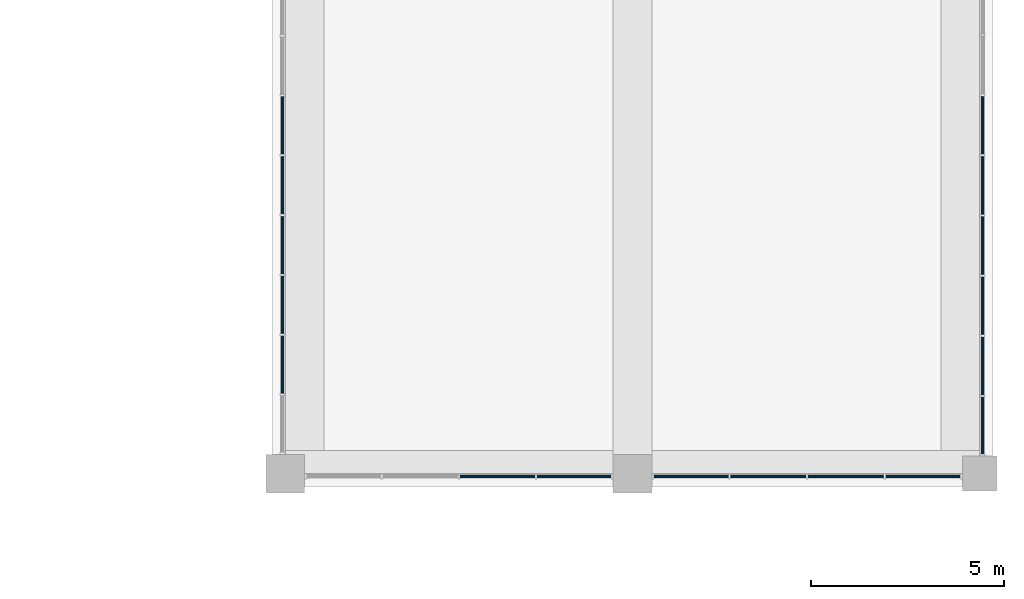
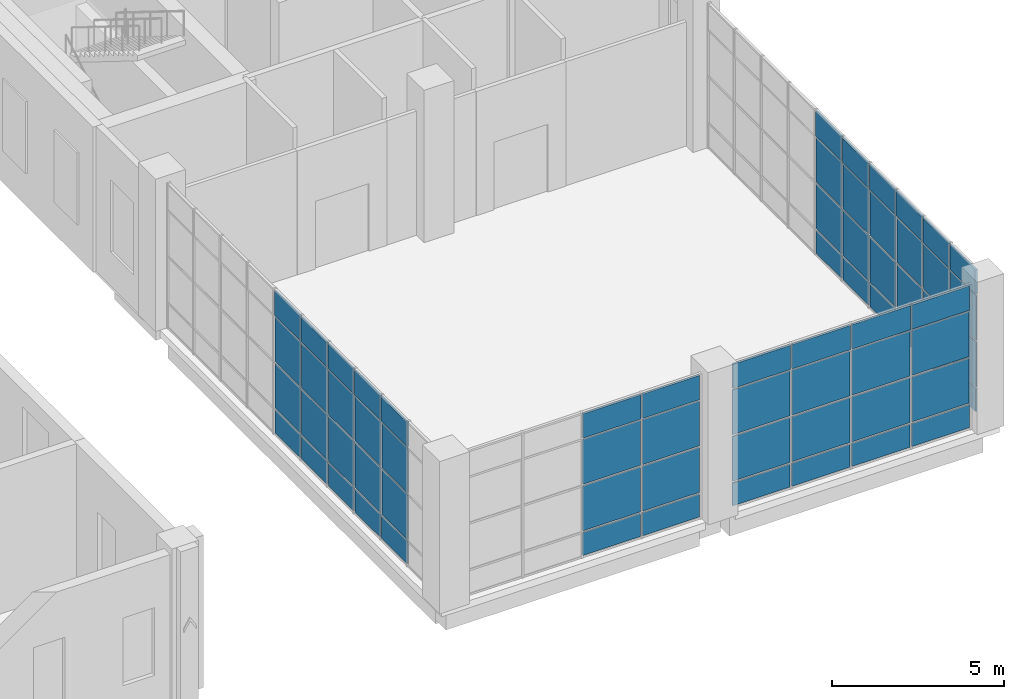
# One storey, part 16 of 33: 68 plates, 4 elements without a shape of their own.
"""IFC4 building model written with IfcOpenShell, lengths in metres."""

from ifc_helpers import new_model, si_unit, direction, frame, origin, origin_2d, place, context, subcontext, project, spatial, rectangle, extrude, material, layer, layer_set, type_object, element, aggregate, save


model = new_model("IFC4")

# Units and contexts
model_context = context("Model", 3, precision=1e-05, world=origin(), true_north=direction((0.0, 1.0)))
body_context = subcontext(model_context, "Body", "Model", "MODEL_VIEW")
ifc_project = project(units=[si_unit("LENGTHUNIT", "METRE"), si_unit("AREAUNIT", "SQUARE_METRE"), si_unit("VOLUMEUNIT", "CUBIC_METRE"), si_unit("PLANEANGLEUNIT", "RADIAN"), si_unit("MASSUNIT", "GRAM", prefix="KILO")], contexts=[model_context])

# Site, building, storey
site_placement = place(None, origin())
site = spatial("IfcSite", under=ifc_project, at=site_placement, CompositionType="ELEMENT")
building_placement = place(site_placement, origin())
building = spatial("IfcBuilding", under=site, at=building_placement, Name="Aurelan Courthouse", CompositionType="ELEMENT")
storey_placement = place(building_placement, frame((0.0, 0.0, 22.800048828125)))
storey = spatial("IfcBuildingStorey", under=building, at=storey_placement, Name="L04", CompositionType="ELEMENT", Elevation=22.800048828125)

# Curtain wall, plates
ifc_material_1 = material(Name="Bronze-finished aluminium and glass", Category="aluminium")
ifc_layer_1 = layer(ifc_material_1, 0.14990234375)
ifc_layer_set_1 = layer_set([ifc_layer_1], Name="Bronze-finished aluminium and glass")
curtain_wall_type_1 = type_object("IfcCurtainWallType", Name="Curtain wall 8000 x 5150", PredefinedType="NOTDEFINED", material=ifc_layer_set_1)
curtain_wall_1_placement = place(storey_placement, origin())
curtain_wall_1 = element("IfcCurtainWall", 1, at=curtain_wall_1_placement, inside=storey, type_object=curtain_wall_type_1, Name="Curtain wall CW-V3-L04-S01", PredefinedType="NOTDEFINED")
ifc_material_2 = material(Name="Bronze-finished aluminium", Category="aluminium")
ifc_layer_2 = layer(ifc_material_2, 0.070068359375)
ifc_layer_set_2 = layer_set([ifc_layer_2], Name="Bronze-finished aluminium")
plate_type_1 = type_object("IfcPlateType", Name="Bronze spandrel panel 70", PredefinedType="CURTAIN_PANEL", material=ifc_layer_set_2)
plate_1_placement = place(storey_placement, frame((77.5, 37.425048828125, 4.22998046875), z_axis=(0.0, 0.0, 1.0), x_axis=(1.0, 0.0, 0.0)))
plate_1 = element("IfcPlate", 2, at=plate_1_placement, type_object=plate_type_1, Name="CW-V3-L04-S01 spandrel panel 3.4", PredefinedType="CURTAIN_PANEL", context=body_context, shape_type="SweptSolid", body=[
    extrude(rectangle(XDim=1.93994140625, YDim=0.070068359375, at=origin_2d()), origin(), (0.0, 0.0, 1.0), 0.860107421875),
])
plate_2_placement = place(storey_placement, frame((79.485107421875, 37.425048828125, 4.22998046875), z_axis=(0.0, 0.0, 1.0), x_axis=(1.0, 0.0, 0.0)))
plate_2 = element("IfcPlate", 3, at=plate_2_placement, type_object=plate_type_1, Name="CW-V3-L04-S01 spandrel panel 4.4", PredefinedType="CURTAIN_PANEL", context=body_context, shape_type="SweptSolid", body=[
    extrude(rectangle(XDim=1.909912109375, YDim=0.070068359375, at=origin_2d()), origin(), (0.0, 0.0, 1.0), 0.860107421875),
])

ifc_layer_3 = layer(ifc_material_1, 0.14990234375)
ifc_layer_set_3 = layer_set([ifc_layer_3], Name="Bronze-finished aluminium and glass")
curtain_wall_type_2 = type_object("IfcCurtainWallType", Name="Curtain wall 8050 x 5150", PredefinedType="NOTDEFINED", material=ifc_layer_set_3)
curtain_wall_2_placement = place(storey_placement, origin())
curtain_wall_2 = element("IfcCurtainWall", 4, at=curtain_wall_2_placement, inside=storey, type_object=curtain_wall_type_2, Name="Curtain wall CW-V3-L04-S02", PredefinedType="NOTDEFINED")
plate_3_placement = place(storey_placement, frame((82.521240234375, 37.425048828125, 4.22998046875), z_axis=(0.0, 0.0, 1.0), x_axis=(1.0, 0.0, 0.0)))
plate_3 = element("IfcPlate", 5, at=plate_3_placement, type_object=plate_type_1, Name="CW-V3-L04-S02 spandrel panel 1.4", PredefinedType="CURTAIN_PANEL", context=body_context, shape_type="SweptSolid", body=[
    extrude(rectangle(XDim=1.922607421875, YDim=0.070068359375, at=origin_2d()), origin(), (0.0, 0.0, 1.0), 0.860107421875),
])
plate_4_placement = place(storey_placement, frame((84.518798828125, 37.425048828125, 4.22998046875), z_axis=(0.0, 0.0, 1.0), x_axis=(1.0, 0.0, 0.0)))
plate_4 = element("IfcPlate", 6, at=plate_4_placement, type_object=plate_type_1, Name="CW-V3-L04-S02 spandrel panel 2.4", PredefinedType="CURTAIN_PANEL", context=body_context, shape_type="SweptSolid", body=[
    extrude(rectangle(XDim=1.952392578125, YDim=0.070068359375, at=origin_2d()), origin(), (0.0, 0.0, 1.0), 0.860107421875),
])
plate_5_placement = place(storey_placement, frame((86.53125, 37.425048828125, 4.22998046875), z_axis=(0.0, 0.0, 1.0), x_axis=(1.0, 0.0, 0.0)))
plate_5 = element("IfcPlate", 7, at=plate_5_placement, type_object=plate_type_1, Name="CW-V3-L04-S02 spandrel panel 3.4", PredefinedType="CURTAIN_PANEL", context=body_context, shape_type="SweptSolid", body=[
    extrude(rectangle(XDim=1.952392578125, YDim=0.070068359375, at=origin_2d()), origin(), (0.0, 0.0, 1.0), 0.860107421875),
])
plate_6_placement = place(storey_placement, frame((88.52880859375, 37.425048828125, 4.22998046875), z_axis=(0.0, 0.0, 1.0), x_axis=(1.0, 0.0, 0.0)))
plate_6 = element("IfcPlate", 8, at=plate_6_placement, type_object=plate_type_1, Name="CW-V3-L04-S02 spandrel panel 4.4", PredefinedType="CURTAIN_PANEL", context=body_context, shape_type="SweptSolid", body=[
    extrude(rectangle(XDim=1.922607421875, YDim=0.070068359375, at=origin_2d()), origin(), (0.0, 0.0, 1.0), 0.860107421875),
])

ifc_layer_4 = layer(ifc_material_1, 0.14990234375)
ifc_layer_set_4 = layer_set([ifc_layer_4], Name="Bronze-finished aluminium and glass")
curtain_wall_type_3 = type_object("IfcCurtainWallType", Name="Curtain wall 15600 x 5150", PredefinedType="NOTDEFINED", material=ifc_layer_set_4)
curtain_wall_3_placement = place(storey_placement, origin())
curtain_wall_3 = element("IfcCurtainWall", 9, at=curtain_wall_3_placement, inside=storey, type_object=curtain_wall_type_3, Name="Curtain wall CW-V3-L04-E01", PredefinedType="NOTDEFINED")
plate_7_placement = place(storey_placement, frame((90.074951171875, 38.7451171875, 4.22998046875), z_axis=(0.0, 0.0, 1.0), x_axis=(0.0, 1.0, 0.0)))
plate_7 = element("IfcPlate", 10, at=plate_7_placement, type_object=plate_type_1, Name="CW-V3-L04-E01 spandrel panel 1.4", PredefinedType="CURTAIN_PANEL", context=body_context, shape_type="SweptSolid", body=[
    extrude(rectangle(XDim=1.469970703125, YDim=0.070068359375, at=origin_2d()), origin(), (0.0, 0.0, 1.0), 0.860107421875),
])
plate_8_placement = place(storey_placement, frame((90.074951171875, 40.2900390625, 4.22998046875), z_axis=(0.0, 0.0, 1.0), x_axis=(0.0, 1.0, 0.0)))
plate_8 = element("IfcPlate", 11, at=plate_8_placement, type_object=plate_type_1, Name="CW-V3-L04-E01 spandrel panel 2.4", PredefinedType="CURTAIN_PANEL", context=body_context, shape_type="SweptSolid", body=[
    extrude(rectangle(XDim=1.5, YDim=0.070068359375, at=origin_2d()), origin(), (0.0, 0.0, 1.0), 0.860107421875),
])
plate_9_placement = place(storey_placement, frame((90.074951171875, 41.85009765625, 4.22998046875), z_axis=(0.0, 0.0, 1.0), x_axis=(0.0, 1.0, 0.0)))
plate_9 = element("IfcPlate", 12, at=plate_9_placement, type_object=plate_type_1, Name="CW-V3-L04-E01 spandrel panel 3.4", PredefinedType="CURTAIN_PANEL", context=body_context, shape_type="SweptSolid", body=[
    extrude(rectangle(XDim=1.5, YDim=0.070068359375, at=origin_2d()), origin(), (0.0, 0.0, 1.0), 0.860107421875),
])
plate_10_placement = place(storey_placement, frame((90.074951171875, 43.409912109375, 4.22998046875), z_axis=(0.0, 0.0, 1.0), x_axis=(0.0, 1.0, 0.0)))
plate_10 = element("IfcPlate", 13, at=plate_10_placement, type_object=plate_type_1, Name="CW-V3-L04-E01 spandrel panel 4.4", PredefinedType="CURTAIN_PANEL", context=body_context, shape_type="SweptSolid", body=[
    extrude(rectangle(XDim=1.5, YDim=0.070068359375, at=origin_2d()), origin(), (0.0, 0.0, 1.0), 0.860107421875),
])
plate_11_placement = place(storey_placement, frame((90.074951171875, 44.969970703125, 4.22998046875), z_axis=(0.0, 0.0, 1.0), x_axis=(0.0, 1.0, 0.0)))
plate_11 = element("IfcPlate", 14, at=plate_11_placement, type_object=plate_type_1, Name="CW-V3-L04-E01 spandrel panel 5.4", PredefinedType="CURTAIN_PANEL", context=body_context, shape_type="SweptSolid", body=[
    extrude(rectangle(XDim=1.5, YDim=0.070068359375, at=origin_2d()), origin(), (0.0, 0.0, 1.0), 0.860107421875),
])
plate_12_placement = place(storey_placement, frame((90.074951171875, 46.530029296875, 4.22998046875), z_axis=(0.0, 0.0, 1.0), x_axis=(0.0, 1.0, 0.0)))
plate_12 = element("IfcPlate", 15, at=plate_12_placement, type_object=plate_type_1, Name="CW-V3-L04-E01 spandrel panel 6.4", PredefinedType="CURTAIN_PANEL", context=body_context, shape_type="SweptSolid", body=[
    extrude(rectangle(XDim=1.5, YDim=0.070068359375, at=origin_2d()), origin(), (0.0, 0.0, 1.0), 0.860107421875),
])

ifc_layer_5 = layer(ifc_material_1, 0.14990234375)
ifc_layer_set_5 = layer_set([ifc_layer_5], Name="Bronze-finished aluminium and glass")
curtain_wall_type_4 = type_object("IfcCurtainWallType", Name="Curtain wall 15500 x 5150", PredefinedType="NOTDEFINED", material=ifc_layer_set_5)
curtain_wall_4_placement = place(storey_placement, origin())
curtain_wall_4 = element("IfcCurtainWall", 16, at=curtain_wall_4_placement, inside=storey, type_object=curtain_wall_type_4, Name="Curtain wall CW-V3-L04-W01", PredefinedType="NOTDEFINED")
plate_13_placement = place(storey_placement, frame((71.925048828125, 40.324951171875, 4.22998046875), z_axis=(0.0, 0.0, 1.0), x_axis=(0.0, 1.0, 0.0)))
plate_13 = element("IfcPlate", 17, at=plate_13_placement, type_object=plate_type_1, Name="CW-V3-L04-W01 spandrel panel 2.4", PredefinedType="CURTAIN_PANEL", context=body_context, shape_type="SweptSolid", body=[
    extrude(rectangle(XDim=1.489990234375, YDim=0.070068359375, at=origin_2d()), origin(), (0.0, 0.0, 1.0), 0.860107421875),
])
plate_14_placement = place(storey_placement, frame((71.925048828125, 41.875, 4.22998046875), z_axis=(0.0, 0.0, 1.0), x_axis=(0.0, 1.0, 0.0)))
plate_14 = element("IfcPlate", 18, at=plate_14_placement, type_object=plate_type_1, Name="CW-V3-L04-W01 spandrel panel 3.4", PredefinedType="CURTAIN_PANEL", context=body_context, shape_type="SweptSolid", body=[
    extrude(rectangle(XDim=1.489990234375, YDim=0.070068359375, at=origin_2d()), origin(), (0.0, 0.0, 1.0), 0.860107421875),
])
plate_15_placement = place(storey_placement, frame((71.925048828125, 43.425048828125, 4.22998046875), z_axis=(0.0, 0.0, 1.0), x_axis=(0.0, 1.0, 0.0)))
plate_15 = element("IfcPlate", 19, at=plate_15_placement, type_object=plate_type_1, Name="CW-V3-L04-W01 spandrel panel 4.4", PredefinedType="CURTAIN_PANEL", context=body_context, shape_type="SweptSolid", body=[
    extrude(rectangle(XDim=1.489990234375, YDim=0.070068359375, at=origin_2d()), origin(), (0.0, 0.0, 1.0), 0.860107421875),
])
plate_16_placement = place(storey_placement, frame((71.925048828125, 44.97509765625, 4.22998046875), z_axis=(0.0, 0.0, 1.0), x_axis=(0.0, 1.0, 0.0)))
plate_16 = element("IfcPlate", 20, at=plate_16_placement, type_object=plate_type_1, Name="CW-V3-L04-W01 spandrel panel 5.4", PredefinedType="CURTAIN_PANEL", context=body_context, shape_type="SweptSolid", body=[
    extrude(rectangle(XDim=1.489990234375, YDim=0.070068359375, at=origin_2d()), origin(), (0.0, 0.0, 1.0), 0.860107421875),
])
plate_17_placement = place(storey_placement, frame((71.925048828125, 46.52490234375, 4.22998046875), z_axis=(0.0, 0.0, 1.0), x_axis=(0.0, 1.0, 0.0)))
plate_17 = element("IfcPlate", 21, at=plate_17_placement, type_object=plate_type_1, Name="CW-V3-L04-W01 spandrel panel 6.4", PredefinedType="CURTAIN_PANEL", context=body_context, shape_type="SweptSolid", body=[
    extrude(rectangle(XDim=1.489990234375, YDim=0.070068359375, at=origin_2d()), origin(), (0.0, 0.0, 1.0), 0.860107421875),
])

# Plate
ifc_layer_6 = layer(ifc_material_2, 0.0400390625)
ifc_layer_set_6 = layer_set([ifc_layer_6], Name="Bronze-finished aluminium")
plate_type_2 = type_object("IfcPlateType", Name="Sill panel 40", PredefinedType="CURTAIN_PANEL", material=ifc_layer_set_6)
plate_18_placement = place(storey_placement, frame((77.5, 37.425048828125, 0.059814453125), z_axis=(0.0, 0.0, 1.0), x_axis=(1.0, 0.0, 0.0)))
plate_18 = element("IfcPlate", 22, at=plate_18_placement, type_object=plate_type_2, Name="CW-V3-L04-S01 sill panel 3.1", PredefinedType="CURTAIN_PANEL", context=body_context, shape_type="SweptSolid", body=[
    extrude(rectangle(XDim=1.93994140625, YDim=0.0400390625, at=origin_2d()), origin(), (0.0, 0.0, 1.0), 0.81005859375),
])

plate_19_placement = place(storey_placement, frame((79.485107421875, 37.425048828125, 0.059814453125), z_axis=(0.0, 0.0, 1.0), x_axis=(1.0, 0.0, 0.0)))
plate_19 = element("IfcPlate", 23, at=plate_19_placement, type_object=plate_type_2, Name="CW-V3-L04-S01 sill panel 4.1", PredefinedType="CURTAIN_PANEL", context=body_context, shape_type="SweptSolid", body=[
    extrude(rectangle(XDim=1.909912109375, YDim=0.0400390625, at=origin_2d()), origin(), (0.0, 0.0, 1.0), 0.81005859375),
])

plate_20_placement = place(storey_placement, frame((82.521240234375, 37.425048828125, 0.059814453125), z_axis=(0.0, 0.0, 1.0), x_axis=(1.0, 0.0, 0.0)))
plate_20 = element("IfcPlate", 24, at=plate_20_placement, type_object=plate_type_2, Name="CW-V3-L04-S02 sill panel 1.1", PredefinedType="CURTAIN_PANEL", context=body_context, shape_type="SweptSolid", body=[
    extrude(rectangle(XDim=1.922607421875, YDim=0.0400390625, at=origin_2d()), origin(), (0.0, 0.0, 1.0), 0.81005859375),
])

plate_21_placement = place(storey_placement, frame((84.518798828125, 37.425048828125, 0.059814453125), z_axis=(0.0, 0.0, 1.0), x_axis=(1.0, 0.0, 0.0)))
plate_21 = element("IfcPlate", 25, at=plate_21_placement, type_object=plate_type_2, Name="CW-V3-L04-S02 sill panel 2.1", PredefinedType="CURTAIN_PANEL", context=body_context, shape_type="SweptSolid", body=[
    extrude(rectangle(XDim=1.952392578125, YDim=0.0400390625, at=origin_2d()), origin(), (0.0, 0.0, 1.0), 0.81005859375),
])

plate_22_placement = place(storey_placement, frame((86.53125, 37.425048828125, 0.059814453125), z_axis=(0.0, 0.0, 1.0), x_axis=(1.0, 0.0, 0.0)))
plate_22 = element("IfcPlate", 26, at=plate_22_placement, type_object=plate_type_2, Name="CW-V3-L04-S02 sill panel 3.1", PredefinedType="CURTAIN_PANEL", context=body_context, shape_type="SweptSolid", body=[
    extrude(rectangle(XDim=1.952392578125, YDim=0.0400390625, at=origin_2d()), origin(), (0.0, 0.0, 1.0), 0.81005859375),
])

plate_23_placement = place(storey_placement, frame((88.52880859375, 37.425048828125, 0.059814453125), z_axis=(0.0, 0.0, 1.0), x_axis=(1.0, 0.0, 0.0)))
plate_23 = element("IfcPlate", 27, at=plate_23_placement, type_object=plate_type_2, Name="CW-V3-L04-S02 sill panel 4.1", PredefinedType="CURTAIN_PANEL", context=body_context, shape_type="SweptSolid", body=[
    extrude(rectangle(XDim=1.922607421875, YDim=0.0400390625, at=origin_2d()), origin(), (0.0, 0.0, 1.0), 0.81005859375),
])

plate_24_placement = place(storey_placement, frame((90.074951171875, 38.7451171875, 0.059814453125), z_axis=(0.0, 0.0, 1.0), x_axis=(0.0, 1.0, 0.0)))
plate_24 = element("IfcPlate", 28, at=plate_24_placement, type_object=plate_type_2, Name="CW-V3-L04-E01 sill panel 1.1", PredefinedType="CURTAIN_PANEL", context=body_context, shape_type="SweptSolid", body=[
    extrude(rectangle(XDim=1.469970703125, YDim=0.0400390625, at=origin_2d()), origin(), (0.0, 0.0, 1.0), 0.81005859375),
])

plate_25_placement = place(storey_placement, frame((90.074951171875, 40.2900390625, 0.059814453125), z_axis=(0.0, 0.0, 1.0), x_axis=(0.0, 1.0, 0.0)))
plate_25 = element("IfcPlate", 29, at=plate_25_placement, type_object=plate_type_2, Name="CW-V3-L04-E01 sill panel 2.1", PredefinedType="CURTAIN_PANEL", context=body_context, shape_type="SweptSolid", body=[
    extrude(rectangle(XDim=1.5, YDim=0.0400390625, at=origin_2d()), origin(), (0.0, 0.0, 1.0), 0.81005859375),
])

plate_26_placement = place(storey_placement, frame((90.074951171875, 41.85009765625, 0.059814453125), z_axis=(0.0, 0.0, 1.0), x_axis=(0.0, 1.0, 0.0)))
plate_26 = element("IfcPlate", 30, at=plate_26_placement, type_object=plate_type_2, Name="CW-V3-L04-E01 sill panel 3.1", PredefinedType="CURTAIN_PANEL", context=body_context, shape_type="SweptSolid", body=[
    extrude(rectangle(XDim=1.5, YDim=0.0400390625, at=origin_2d()), origin(), (0.0, 0.0, 1.0), 0.81005859375),
])

plate_27_placement = place(storey_placement, frame((90.074951171875, 43.409912109375, 0.059814453125), z_axis=(0.0, 0.0, 1.0), x_axis=(0.0, 1.0, 0.0)))
plate_27 = element("IfcPlate", 31, at=plate_27_placement, type_object=plate_type_2, Name="CW-V3-L04-E01 sill panel 4.1", PredefinedType="CURTAIN_PANEL", context=body_context, shape_type="SweptSolid", body=[
    extrude(rectangle(XDim=1.5, YDim=0.0400390625, at=origin_2d()), origin(), (0.0, 0.0, 1.0), 0.81005859375),
])

plate_28_placement = place(storey_placement, frame((90.074951171875, 44.969970703125, 0.059814453125), z_axis=(0.0, 0.0, 1.0), x_axis=(0.0, 1.0, 0.0)))
plate_28 = element("IfcPlate", 32, at=plate_28_placement, type_object=plate_type_2, Name="CW-V3-L04-E01 sill panel 5.1", PredefinedType="CURTAIN_PANEL", context=body_context, shape_type="SweptSolid", body=[
    extrude(rectangle(XDim=1.5, YDim=0.0400390625, at=origin_2d()), origin(), (0.0, 0.0, 1.0), 0.81005859375),
])

plate_29_placement = place(storey_placement, frame((90.074951171875, 46.530029296875, 0.059814453125), z_axis=(0.0, 0.0, 1.0), x_axis=(0.0, 1.0, 0.0)))
plate_29 = element("IfcPlate", 33, at=plate_29_placement, type_object=plate_type_2, Name="CW-V3-L04-E01 sill panel 6.1", PredefinedType="CURTAIN_PANEL", context=body_context, shape_type="SweptSolid", body=[
    extrude(rectangle(XDim=1.5, YDim=0.0400390625, at=origin_2d()), origin(), (0.0, 0.0, 1.0), 0.81005859375),
])

plate_30_placement = place(storey_placement, frame((71.925048828125, 40.324951171875, 0.059814453125), z_axis=(0.0, 0.0, 1.0), x_axis=(0.0, 1.0, 0.0)))
plate_30 = element("IfcPlate", 34, at=plate_30_placement, type_object=plate_type_2, Name="CW-V3-L04-W01 sill panel 2.1", PredefinedType="CURTAIN_PANEL", context=body_context, shape_type="SweptSolid", body=[
    extrude(rectangle(XDim=1.489990234375, YDim=0.0400390625, at=origin_2d()), origin(), (0.0, 0.0, 1.0), 0.81005859375),
])

plate_31_placement = place(storey_placement, frame((71.925048828125, 41.875, 0.059814453125), z_axis=(0.0, 0.0, 1.0), x_axis=(0.0, 1.0, 0.0)))
plate_31 = element("IfcPlate", 35, at=plate_31_placement, type_object=plate_type_2, Name="CW-V3-L04-W01 sill panel 3.1", PredefinedType="CURTAIN_PANEL", context=body_context, shape_type="SweptSolid", body=[
    extrude(rectangle(XDim=1.489990234375, YDim=0.0400390625, at=origin_2d()), origin(), (0.0, 0.0, 1.0), 0.81005859375),
])

plate_32_placement = place(storey_placement, frame((71.925048828125, 43.425048828125, 0.059814453125), z_axis=(0.0, 0.0, 1.0), x_axis=(0.0, 1.0, 0.0)))
plate_32 = element("IfcPlate", 36, at=plate_32_placement, type_object=plate_type_2, Name="CW-V3-L04-W01 sill panel 4.1", PredefinedType="CURTAIN_PANEL", context=body_context, shape_type="SweptSolid", body=[
    extrude(rectangle(XDim=1.489990234375, YDim=0.0400390625, at=origin_2d()), origin(), (0.0, 0.0, 1.0), 0.81005859375),
])

plate_33_placement = place(storey_placement, frame((71.925048828125, 44.97509765625, 0.059814453125), z_axis=(0.0, 0.0, 1.0), x_axis=(0.0, 1.0, 0.0)))
plate_33 = element("IfcPlate", 37, at=plate_33_placement, type_object=plate_type_2, Name="CW-V3-L04-W01 sill panel 5.1", PredefinedType="CURTAIN_PANEL", context=body_context, shape_type="SweptSolid", body=[
    extrude(rectangle(XDim=1.489990234375, YDim=0.0400390625, at=origin_2d()), origin(), (0.0, 0.0, 1.0), 0.81005859375),
])

plate_34_placement = place(storey_placement, frame((71.925048828125, 46.52490234375, 0.059814453125), z_axis=(0.0, 0.0, 1.0), x_axis=(0.0, 1.0, 0.0)))
plate_34 = element("IfcPlate", 38, at=plate_34_placement, type_object=plate_type_2, Name="CW-V3-L04-W01 sill panel 6.1", PredefinedType="CURTAIN_PANEL", context=body_context, shape_type="SweptSolid", body=[
    extrude(rectangle(XDim=1.489990234375, YDim=0.0400390625, at=origin_2d()), origin(), (0.0, 0.0, 1.0), 0.81005859375),
])

ifc_material_3 = material(Name="Laminated low-emissivity glass", Category="glass")
ifc_layer_7 = layer(ifc_material_3, 0.031982421875)
ifc_layer_set_7 = layer_set([ifc_layer_7], Name="Laminated low-emissivity glass")
plate_type_3 = type_object("IfcPlateType", Name="Vision glass panel 32", PredefinedType="CURTAIN_PANEL", material=ifc_layer_set_7)
plate_35_placement = place(storey_placement, frame((77.5, 37.425048828125, 0.9296875), z_axis=(0.0, 0.0, 1.0), x_axis=(1.0, 0.0, 0.0)))
plate_35 = element("IfcPlate", 39, at=plate_35_placement, type_object=plate_type_3, Name="CW-V3-L04-S01 vision panel 3.2", PredefinedType="CURTAIN_PANEL", context=body_context, shape_type="SweptSolid", body=[
    extrude(rectangle(XDim=1.93994140625, YDim=0.031982421875, at=origin_2d()), origin(), (0.0, 0.0, 1.0), 1.590087890625),
])

plate_36_placement = place(storey_placement, frame((77.5, 37.425048828125, 2.580078125), z_axis=(0.0, 0.0, 1.0), x_axis=(1.0, 0.0, 0.0)))
plate_36 = element("IfcPlate", 40, at=plate_36_placement, type_object=plate_type_3, Name="CW-V3-L04-S01 vision panel 3.3", PredefinedType="CURTAIN_PANEL", context=body_context, shape_type="SweptSolid", body=[
    extrude(rectangle(XDim=1.93994140625, YDim=0.031982421875, at=origin_2d()), origin(), (0.0, 0.0, 1.0), 1.590087890625),
])

plate_37_placement = place(storey_placement, frame((79.485107421875, 37.425048828125, 0.9296875), z_axis=(0.0, 0.0, 1.0), x_axis=(1.0, 0.0, 0.0)))
plate_37 = element("IfcPlate", 41, at=plate_37_placement, type_object=plate_type_3, Name="CW-V3-L04-S01 vision panel 4.2", PredefinedType="CURTAIN_PANEL", context=body_context, shape_type="SweptSolid", body=[
    extrude(rectangle(XDim=1.909912109375, YDim=0.031982421875, at=origin_2d()), origin(), (0.0, 0.0, 1.0), 1.590087890625),
])

plate_38_placement = place(storey_placement, frame((79.485107421875, 37.425048828125, 2.580078125), z_axis=(0.0, 0.0, 1.0), x_axis=(1.0, 0.0, 0.0)))
plate_38 = element("IfcPlate", 42, at=plate_38_placement, type_object=plate_type_3, Name="CW-V3-L04-S01 vision panel 4.3", PredefinedType="CURTAIN_PANEL", context=body_context, shape_type="SweptSolid", body=[
    extrude(rectangle(XDim=1.909912109375, YDim=0.031982421875, at=origin_2d()), origin(), (0.0, 0.0, 1.0), 1.590087890625),
])

aggregate(curtain_wall_1, [plate_18, plate_35, plate_36, plate_1, plate_19, plate_37, plate_38, plate_2])

plate_39_placement = place(storey_placement, frame((82.521240234375, 37.425048828125, 0.9296875), z_axis=(0.0, 0.0, 1.0), x_axis=(1.0, 0.0, 0.0)))
plate_39 = element("IfcPlate", 43, at=plate_39_placement, type_object=plate_type_3, Name="CW-V3-L04-S02 vision panel 1.2", PredefinedType="CURTAIN_PANEL", context=body_context, shape_type="SweptSolid", body=[
    extrude(rectangle(XDim=1.922607421875, YDim=0.031982421875, at=origin_2d()), origin(), (0.0, 0.0, 1.0), 1.590087890625),
])

plate_40_placement = place(storey_placement, frame((82.521240234375, 37.425048828125, 2.580078125), z_axis=(0.0, 0.0, 1.0), x_axis=(1.0, 0.0, 0.0)))
plate_40 = element("IfcPlate", 44, at=plate_40_placement, type_object=plate_type_3, Name="CW-V3-L04-S02 vision panel 1.3", PredefinedType="CURTAIN_PANEL", context=body_context, shape_type="SweptSolid", body=[
    extrude(rectangle(XDim=1.922607421875, YDim=0.031982421875, at=origin_2d()), origin(), (0.0, 0.0, 1.0), 1.590087890625),
])

plate_41_placement = place(storey_placement, frame((84.518798828125, 37.425048828125, 0.9296875), z_axis=(0.0, 0.0, 1.0), x_axis=(1.0, 0.0, 0.0)))
plate_41 = element("IfcPlate", 45, at=plate_41_placement, type_object=plate_type_3, Name="CW-V3-L04-S02 vision panel 2.2", PredefinedType="CURTAIN_PANEL", context=body_context, shape_type="SweptSolid", body=[
    extrude(rectangle(XDim=1.952392578125, YDim=0.031982421875, at=origin_2d()), origin(), (0.0, 0.0, 1.0), 1.590087890625),
])

plate_42_placement = place(storey_placement, frame((84.518798828125, 37.425048828125, 2.580078125), z_axis=(0.0, 0.0, 1.0), x_axis=(1.0, 0.0, 0.0)))
plate_42 = element("IfcPlate", 46, at=plate_42_placement, type_object=plate_type_3, Name="CW-V3-L04-S02 vision panel 2.3", PredefinedType="CURTAIN_PANEL", context=body_context, shape_type="SweptSolid", body=[
    extrude(rectangle(XDim=1.952392578125, YDim=0.031982421875, at=origin_2d()), origin(), (0.0, 0.0, 1.0), 1.590087890625),
])

plate_43_placement = place(storey_placement, frame((86.53125, 37.425048828125, 0.9296875), z_axis=(0.0, 0.0, 1.0), x_axis=(1.0, 0.0, 0.0)))
plate_43 = element("IfcPlate", 47, at=plate_43_placement, type_object=plate_type_3, Name="CW-V3-L04-S02 vision panel 3.2", PredefinedType="CURTAIN_PANEL", context=body_context, shape_type="SweptSolid", body=[
    extrude(rectangle(XDim=1.952392578125, YDim=0.031982421875, at=origin_2d()), origin(), (0.0, 0.0, 1.0), 1.590087890625),
])

plate_44_placement = place(storey_placement, frame((86.53125, 37.425048828125, 2.580078125), z_axis=(0.0, 0.0, 1.0), x_axis=(1.0, 0.0, 0.0)))
plate_44 = element("IfcPlate", 48, at=plate_44_placement, type_object=plate_type_3, Name="CW-V3-L04-S02 vision panel 3.3", PredefinedType="CURTAIN_PANEL", context=body_context, shape_type="SweptSolid", body=[
    extrude(rectangle(XDim=1.952392578125, YDim=0.031982421875, at=origin_2d()), origin(), (0.0, 0.0, 1.0), 1.590087890625),
])

plate_45_placement = place(storey_placement, frame((88.52880859375, 37.425048828125, 0.9296875), z_axis=(0.0, 0.0, 1.0), x_axis=(1.0, 0.0, 0.0)))
plate_45 = element("IfcPlate", 49, at=plate_45_placement, type_object=plate_type_3, Name="CW-V3-L04-S02 vision panel 4.2", PredefinedType="CURTAIN_PANEL", context=body_context, shape_type="SweptSolid", body=[
    extrude(rectangle(XDim=1.922607421875, YDim=0.031982421875, at=origin_2d()), origin(), (0.0, 0.0, 1.0), 1.590087890625),
])

plate_46_placement = place(storey_placement, frame((88.52880859375, 37.425048828125, 2.580078125), z_axis=(0.0, 0.0, 1.0), x_axis=(1.0, 0.0, 0.0)))
plate_46 = element("IfcPlate", 50, at=plate_46_placement, type_object=plate_type_3, Name="CW-V3-L04-S02 vision panel 4.3", PredefinedType="CURTAIN_PANEL", context=body_context, shape_type="SweptSolid", body=[
    extrude(rectangle(XDim=1.922607421875, YDim=0.031982421875, at=origin_2d()), origin(), (0.0, 0.0, 1.0), 1.590087890625),
])

aggregate(curtain_wall_2, [plate_20, plate_39, plate_40, plate_3, plate_21, plate_41, plate_42, plate_4, plate_22, plate_43, plate_44, plate_5, plate_23, plate_45, plate_46, plate_6])

plate_47_placement = place(storey_placement, frame((90.074951171875, 38.7451171875, 0.9296875), z_axis=(0.0, 0.0, 1.0), x_axis=(0.0, 1.0, 0.0)))
plate_47 = element("IfcPlate", 51, at=plate_47_placement, type_object=plate_type_3, Name="CW-V3-L04-E01 vision panel 1.2", PredefinedType="CURTAIN_PANEL", context=body_context, shape_type="SweptSolid", body=[
    extrude(rectangle(XDim=1.469970703125, YDim=0.031982421875, at=origin_2d()), origin(), (0.0, 0.0, 1.0), 1.590087890625),
])

plate_48_placement = place(storey_placement, frame((90.074951171875, 38.7451171875, 2.580078125), z_axis=(0.0, 0.0, 1.0), x_axis=(0.0, 1.0, 0.0)))
plate_48 = element("IfcPlate", 52, at=plate_48_placement, type_object=plate_type_3, Name="CW-V3-L04-E01 vision panel 1.3", PredefinedType="CURTAIN_PANEL", context=body_context, shape_type="SweptSolid", body=[
    extrude(rectangle(XDim=1.469970703125, YDim=0.031982421875, at=origin_2d()), origin(), (0.0, 0.0, 1.0), 1.590087890625),
])

plate_49_placement = place(storey_placement, frame((90.074951171875, 40.2900390625, 0.9296875), z_axis=(0.0, 0.0, 1.0), x_axis=(0.0, 1.0, 0.0)))
plate_49 = element("IfcPlate", 53, at=plate_49_placement, type_object=plate_type_3, Name="CW-V3-L04-E01 vision panel 2.2", PredefinedType="CURTAIN_PANEL", context=body_context, shape_type="SweptSolid", body=[
    extrude(rectangle(XDim=1.5, YDim=0.031982421875, at=origin_2d()), origin(), (0.0, 0.0, 1.0), 1.590087890625),
])

plate_50_placement = place(storey_placement, frame((90.074951171875, 40.2900390625, 2.580078125), z_axis=(0.0, 0.0, 1.0), x_axis=(0.0, 1.0, 0.0)))
plate_50 = element("IfcPlate", 54, at=plate_50_placement, type_object=plate_type_3, Name="CW-V3-L04-E01 vision panel 2.3", PredefinedType="CURTAIN_PANEL", context=body_context, shape_type="SweptSolid", body=[
    extrude(rectangle(XDim=1.5, YDim=0.031982421875, at=origin_2d()), origin(), (0.0, 0.0, 1.0), 1.590087890625),
])

plate_51_placement = place(storey_placement, frame((90.074951171875, 41.85009765625, 0.9296875), z_axis=(0.0, 0.0, 1.0), x_axis=(0.0, 1.0, 0.0)))
plate_51 = element("IfcPlate", 55, at=plate_51_placement, type_object=plate_type_3, Name="CW-V3-L04-E01 vision panel 3.2", PredefinedType="CURTAIN_PANEL", context=body_context, shape_type="SweptSolid", body=[
    extrude(rectangle(XDim=1.5, YDim=0.031982421875, at=origin_2d()), origin(), (0.0, 0.0, 1.0), 1.590087890625),
])

plate_52_placement = place(storey_placement, frame((90.074951171875, 41.85009765625, 2.580078125), z_axis=(0.0, 0.0, 1.0), x_axis=(0.0, 1.0, 0.0)))
plate_52 = element("IfcPlate", 56, at=plate_52_placement, type_object=plate_type_3, Name="CW-V3-L04-E01 vision panel 3.3", PredefinedType="CURTAIN_PANEL", context=body_context, shape_type="SweptSolid", body=[
    extrude(rectangle(XDim=1.5, YDim=0.031982421875, at=origin_2d()), origin(), (0.0, 0.0, 1.0), 1.590087890625),
])

plate_53_placement = place(storey_placement, frame((90.074951171875, 43.409912109375, 0.9296875), z_axis=(0.0, 0.0, 1.0), x_axis=(0.0, 1.0, 0.0)))
plate_53 = element("IfcPlate", 57, at=plate_53_placement, type_object=plate_type_3, Name="CW-V3-L04-E01 vision panel 4.2", PredefinedType="CURTAIN_PANEL", context=body_context, shape_type="SweptSolid", body=[
    extrude(rectangle(XDim=1.5, YDim=0.031982421875, at=origin_2d()), origin(), (0.0, 0.0, 1.0), 1.590087890625),
])

plate_54_placement = place(storey_placement, frame((90.074951171875, 43.409912109375, 2.580078125), z_axis=(0.0, 0.0, 1.0), x_axis=(0.0, 1.0, 0.0)))
plate_54 = element("IfcPlate", 58, at=plate_54_placement, type_object=plate_type_3, Name="CW-V3-L04-E01 vision panel 4.3", PredefinedType="CURTAIN_PANEL", context=body_context, shape_type="SweptSolid", body=[
    extrude(rectangle(XDim=1.5, YDim=0.031982421875, at=origin_2d()), origin(), (0.0, 0.0, 1.0), 1.590087890625),
])

plate_55_placement = place(storey_placement, frame((90.074951171875, 44.969970703125, 0.9296875), z_axis=(0.0, 0.0, 1.0), x_axis=(0.0, 1.0, 0.0)))
plate_55 = element("IfcPlate", 59, at=plate_55_placement, type_object=plate_type_3, Name="CW-V3-L04-E01 vision panel 5.2", PredefinedType="CURTAIN_PANEL", context=body_context, shape_type="SweptSolid", body=[
    extrude(rectangle(XDim=1.5, YDim=0.031982421875, at=origin_2d()), origin(), (0.0, 0.0, 1.0), 1.590087890625),
])

plate_56_placement = place(storey_placement, frame((90.074951171875, 44.969970703125, 2.580078125), z_axis=(0.0, 0.0, 1.0), x_axis=(0.0, 1.0, 0.0)))
plate_56 = element("IfcPlate", 60, at=plate_56_placement, type_object=plate_type_3, Name="CW-V3-L04-E01 vision panel 5.3", PredefinedType="CURTAIN_PANEL", context=body_context, shape_type="SweptSolid", body=[
    extrude(rectangle(XDim=1.5, YDim=0.031982421875, at=origin_2d()), origin(), (0.0, 0.0, 1.0), 1.590087890625),
])

plate_57_placement = place(storey_placement, frame((90.074951171875, 46.530029296875, 0.9296875), z_axis=(0.0, 0.0, 1.0), x_axis=(0.0, 1.0, 0.0)))
plate_57 = element("IfcPlate", 61, at=plate_57_placement, type_object=plate_type_3, Name="CW-V3-L04-E01 vision panel 6.2", PredefinedType="CURTAIN_PANEL", context=body_context, shape_type="SweptSolid", body=[
    extrude(rectangle(XDim=1.5, YDim=0.031982421875, at=origin_2d()), origin(), (0.0, 0.0, 1.0), 1.590087890625),
])

plate_58_placement = place(storey_placement, frame((90.074951171875, 46.530029296875, 2.580078125), z_axis=(0.0, 0.0, 1.0), x_axis=(0.0, 1.0, 0.0)))
plate_58 = element("IfcPlate", 62, at=plate_58_placement, type_object=plate_type_3, Name="CW-V3-L04-E01 vision panel 6.3", PredefinedType="CURTAIN_PANEL", context=body_context, shape_type="SweptSolid", body=[
    extrude(rectangle(XDim=1.5, YDim=0.031982421875, at=origin_2d()), origin(), (0.0, 0.0, 1.0), 1.590087890625),
])

aggregate(curtain_wall_3, [plate_24, plate_47, plate_48, plate_7, plate_25, plate_49, plate_50, plate_8, plate_26, plate_51, plate_52, plate_9, plate_27, plate_53, plate_54, plate_10, plate_28, plate_55, plate_56, plate_11, plate_29, plate_57, plate_58, plate_12])

plate_59_placement = place(storey_placement, frame((71.925048828125, 40.324951171875, 0.9296875), z_axis=(0.0, 0.0, 1.0), x_axis=(0.0, 1.0, 0.0)))
plate_59 = element("IfcPlate", 63, at=plate_59_placement, type_object=plate_type_3, Name="CW-V3-L04-W01 vision panel 2.2", PredefinedType="CURTAIN_PANEL", context=body_context, shape_type="SweptSolid", body=[
    extrude(rectangle(XDim=1.489990234375, YDim=0.031982421875, at=origin_2d()), origin(), (0.0, 0.0, 1.0), 1.590087890625),
])

plate_60_placement = place(storey_placement, frame((71.925048828125, 40.324951171875, 2.580078125), z_axis=(0.0, 0.0, 1.0), x_axis=(0.0, 1.0, 0.0)))
plate_60 = element("IfcPlate", 64, at=plate_60_placement, type_object=plate_type_3, Name="CW-V3-L04-W01 vision panel 2.3", PredefinedType="CURTAIN_PANEL", context=body_context, shape_type="SweptSolid", body=[
    extrude(rectangle(XDim=1.489990234375, YDim=0.031982421875, at=origin_2d()), origin(), (0.0, 0.0, 1.0), 1.590087890625),
])

plate_61_placement = place(storey_placement, frame((71.925048828125, 41.875, 0.9296875), z_axis=(0.0, 0.0, 1.0), x_axis=(0.0, 1.0, 0.0)))
plate_61 = element("IfcPlate", 65, at=plate_61_placement, type_object=plate_type_3, Name="CW-V3-L04-W01 vision panel 3.2", PredefinedType="CURTAIN_PANEL", context=body_context, shape_type="SweptSolid", body=[
    extrude(rectangle(XDim=1.489990234375, YDim=0.031982421875, at=origin_2d()), origin(), (0.0, 0.0, 1.0), 1.590087890625),
])

plate_62_placement = place(storey_placement, frame((71.925048828125, 41.875, 2.580078125), z_axis=(0.0, 0.0, 1.0), x_axis=(0.0, 1.0, 0.0)))
plate_62 = element("IfcPlate", 66, at=plate_62_placement, type_object=plate_type_3, Name="CW-V3-L04-W01 vision panel 3.3", PredefinedType="CURTAIN_PANEL", context=body_context, shape_type="SweptSolid", body=[
    extrude(rectangle(XDim=1.489990234375, YDim=0.031982421875, at=origin_2d()), origin(), (0.0, 0.0, 1.0), 1.590087890625),
])

plate_63_placement = place(storey_placement, frame((71.925048828125, 43.425048828125, 0.9296875), z_axis=(0.0, 0.0, 1.0), x_axis=(0.0, 1.0, 0.0)))
plate_63 = element("IfcPlate", 67, at=plate_63_placement, type_object=plate_type_3, Name="CW-V3-L04-W01 vision panel 4.2", PredefinedType="CURTAIN_PANEL", context=body_context, shape_type="SweptSolid", body=[
    extrude(rectangle(XDim=1.489990234375, YDim=0.031982421875, at=origin_2d()), origin(), (0.0, 0.0, 1.0), 1.590087890625),
])

plate_64_placement = place(storey_placement, frame((71.925048828125, 43.425048828125, 2.580078125), z_axis=(0.0, 0.0, 1.0), x_axis=(0.0, 1.0, 0.0)))
plate_64 = element("IfcPlate", 68, at=plate_64_placement, type_object=plate_type_3, Name="CW-V3-L04-W01 vision panel 4.3", PredefinedType="CURTAIN_PANEL", context=body_context, shape_type="SweptSolid", body=[
    extrude(rectangle(XDim=1.489990234375, YDim=0.031982421875, at=origin_2d()), origin(), (0.0, 0.0, 1.0), 1.590087890625),
])

plate_65_placement = place(storey_placement, frame((71.925048828125, 44.97509765625, 0.9296875), z_axis=(0.0, 0.0, 1.0), x_axis=(0.0, 1.0, 0.0)))
plate_65 = element("IfcPlate", 69, at=plate_65_placement, type_object=plate_type_3, Name="CW-V3-L04-W01 vision panel 5.2", PredefinedType="CURTAIN_PANEL", context=body_context, shape_type="SweptSolid", body=[
    extrude(rectangle(XDim=1.489990234375, YDim=0.031982421875, at=origin_2d()), origin(), (0.0, 0.0, 1.0), 1.590087890625),
])

plate_66_placement = place(storey_placement, frame((71.925048828125, 44.97509765625, 2.580078125), z_axis=(0.0, 0.0, 1.0), x_axis=(0.0, 1.0, 0.0)))
plate_66 = element("IfcPlate", 70, at=plate_66_placement, type_object=plate_type_3, Name="CW-V3-L04-W01 vision panel 5.3", PredefinedType="CURTAIN_PANEL", context=body_context, shape_type="SweptSolid", body=[
    extrude(rectangle(XDim=1.489990234375, YDim=0.031982421875, at=origin_2d()), origin(), (0.0, 0.0, 1.0), 1.590087890625),
])

plate_67_placement = place(storey_placement, frame((71.925048828125, 46.52490234375, 0.9296875), z_axis=(0.0, 0.0, 1.0), x_axis=(0.0, 1.0, 0.0)))
plate_67 = element("IfcPlate", 71, at=plate_67_placement, type_object=plate_type_3, Name="CW-V3-L04-W01 vision panel 6.2", PredefinedType="CURTAIN_PANEL", context=body_context, shape_type="SweptSolid", body=[
    extrude(rectangle(XDim=1.489990234375, YDim=0.031982421875, at=origin_2d()), origin(), (0.0, 0.0, 1.0), 1.590087890625),
])

plate_68_placement = place(storey_placement, frame((71.925048828125, 46.52490234375, 2.580078125), z_axis=(0.0, 0.0, 1.0), x_axis=(0.0, 1.0, 0.0)))
plate_68 = element("IfcPlate", 72, at=plate_68_placement, type_object=plate_type_3, Name="CW-V3-L04-W01 vision panel 6.3", PredefinedType="CURTAIN_PANEL", context=body_context, shape_type="SweptSolid", body=[
    extrude(rectangle(XDim=1.489990234375, YDim=0.031982421875, at=origin_2d()), origin(), (0.0, 0.0, 1.0), 1.590087890625),
])

aggregate(curtain_wall_4, [plate_30, plate_59, plate_60, plate_13, plate_31, plate_61, plate_62, plate_14, plate_32, plate_63, plate_64, plate_15, plate_33, plate_65, plate_66, plate_16, plate_34, plate_67, plate_68, plate_17])

save(model, "model.ifc")
